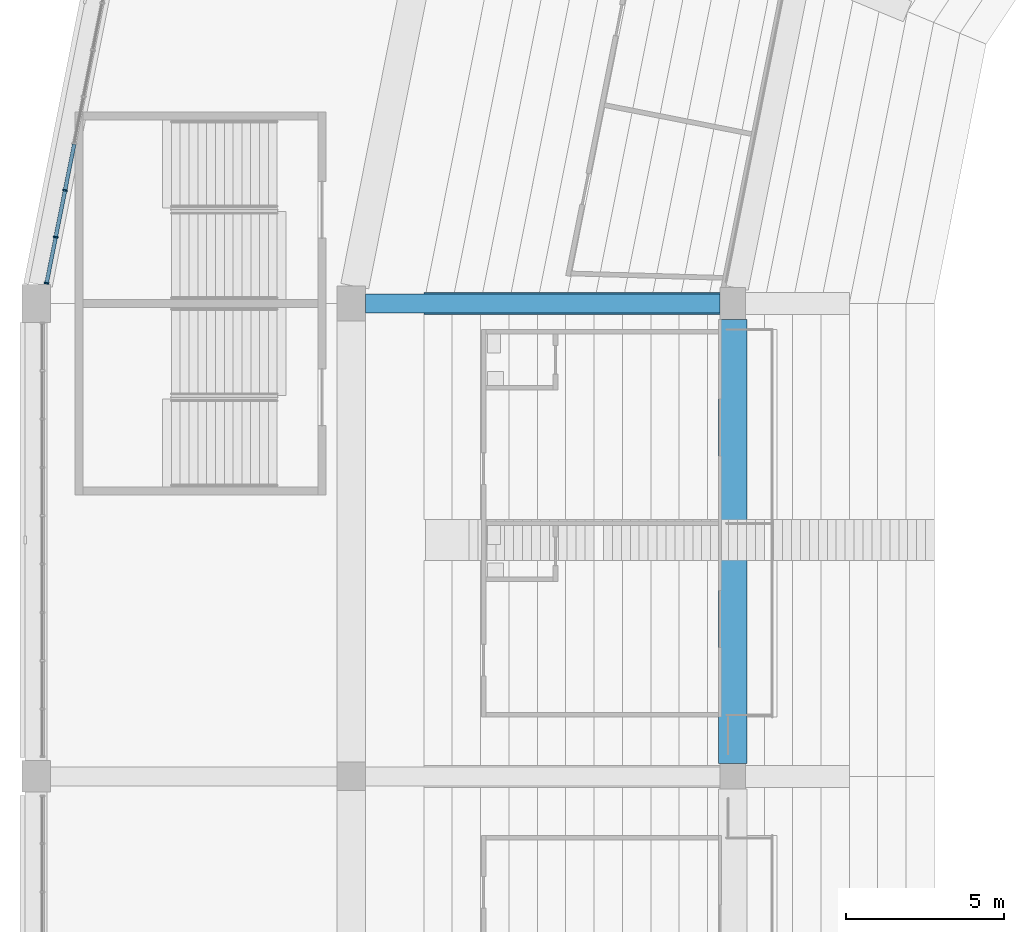
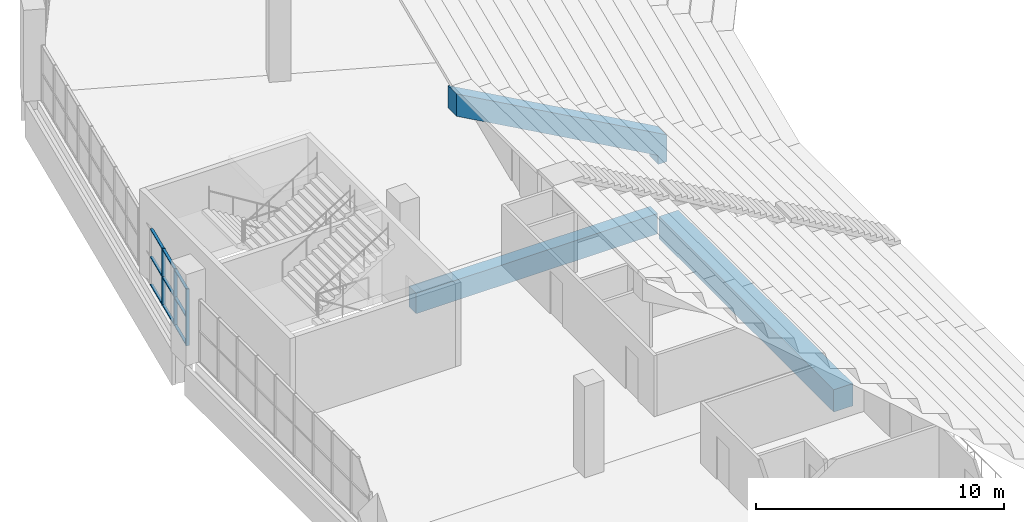
# One storey, part 41 of 249: 12 members, 3 beams, 1 element without a shape of its own.
"""IFC4 building model written with IfcOpenShell, lengths in metres."""

from ifc_helpers import new_model, si_unit, direction, frame, origin, origin_2d, place, context, subcontext, project, spatial, polyline, rectangle, outline, extrude, material, material_profile, profile_set, type_object, element, aggregate, save


model = new_model("IFC4")

# Units and contexts
model_context = context("Model", 3, precision=1e-05, world=origin(), true_north=direction((0.0, 1.0)))
body_context = subcontext(model_context, "Body", "Model", "MODEL_VIEW")
ifc_project = project(units=[si_unit("LENGTHUNIT", "METRE"), si_unit("AREAUNIT", "SQUARE_METRE"), si_unit("VOLUMEUNIT", "CUBIC_METRE"), si_unit("PLANEANGLEUNIT", "RADIAN"), si_unit("MASSUNIT", "GRAM", prefix="KILO")], contexts=[model_context])

# Site, building, storey
site_placement = place(None, origin())
site = spatial("IfcSite", under=ifc_project, at=site_placement, CompositionType="ELEMENT")
building_placement = place(site_placement, origin())
building = spatial("IfcBuilding", under=site, at=building_placement, Name="Ogive Plaza Stadium", CompositionType="ELEMENT")
storey_placement = place(building_placement, frame((0.0, 0.0, 13.5)))
storey = spatial("IfcBuildingStorey", under=building, at=storey_placement, Name="L03", CompositionType="ELEMENT", Elevation=13.5)

# Curtain wall, members
ifc_material_1 = material(Name="Bronze-anodised aluminium with laminated glass", Category="aluminium")
curtain_wall_type = type_object("IfcCurtainWallType", Name="Lancet curtain wall", PredefinedType="NOTDEFINED", material=ifc_material_1)
curtain_wall_placement = place(storey_placement, origin())
curtain_wall = element("IfcCurtainWall", 1, at=curtain_wall_placement, inside=storey, type_object=curtain_wall_type, Name="CURTAIN WALL B28 L03", PredefinedType="NOTDEFINED")
ifc_material_2 = material(Name="Bronze-anodised aluminium", Category="aluminium")
ifc_material_profile_1 = material_profile(ifc_material_2, rectangle(XDim=0.14990234375, YDim=0.050048828125, at=origin_2d()), Name="AL 150x50")
ifc_profile_set_1 = profile_set([ifc_material_profile_1], Name="Bronze-anodised aluminium")
member_type_1 = type_object("IfcMemberType", Name="Curtain wall mullion 50x150", PredefinedType="MULLION", material=ifc_profile_set_1)
member_1_placement = place(storey_placement, frame((-83.66796875, 53.14404296875, 0.0), z_axis=(0.0, 0.0, 1.0), x_axis=(-0.980785280403, 0.195090322016, 0.0)))
member_1 = element("IfcMember", 2, at=member_1_placement, type_object=member_type_1, Name="CW-B28-L03 mullion 1", PredefinedType="MULLION", context=body_context, shape_type="SweptSolid", body=[
    extrude(rectangle(XDim=0.14990234375, YDim=0.050048828125, at=origin_2d()), origin(), (0.0, 0.0, 1.0), 2.7900390625),
])
member_2_placement = place(storey_placement, frame((-83.37744140625, 54.604248046875, 0.0), z_axis=(0.0, 0.0, 1.0), x_axis=(-0.980785280403, 0.195090322016, 0.0)))
member_2 = element("IfcMember", 3, at=member_2_placement, type_object=member_type_1, Name="CW-B28-L03 mullion 2", PredefinedType="MULLION", context=body_context, shape_type="SweptSolid", body=[
    extrude(rectangle(XDim=0.14990234375, YDim=0.050048828125, at=origin_2d()), origin(), (0.0, 0.0, 1.0), 2.7900390625),
])
member_3_placement = place(storey_placement, frame((-83.082275390625, 56.089111328125, 0.0), z_axis=(0.0, 0.0, 1.0), x_axis=(-0.980785280403, 0.195090322016, 0.0)))
member_3 = element("IfcMember", 4, at=member_3_placement, type_object=member_type_1, Name="CW-B28-L03 mullion 3", PredefinedType="MULLION", context=body_context, shape_type="SweptSolid", body=[
    extrude(rectangle(XDim=0.14990234375, YDim=0.050048828125, at=origin_2d()), origin(), (0.0, 0.0, 1.0), 2.7900390625),
])
ifc_material_3 = material(Name="Bronze-anodised aluminium", Category="aluminium")
ifc_material_profile_2 = material_profile(ifc_material_3, rectangle(XDim=0.1201171875, YDim=0.050048828125, at=origin_2d()), Name="AL 120x50")
ifc_profile_set_2 = profile_set([ifc_material_profile_2], Name="Bronze-anodised aluminium")
member_type_2 = type_object("IfcMemberType", Name="Curtain wall transom 50x120", PredefinedType="USERDEFINED", material=ifc_profile_set_2)
member_4_placement = place(storey_placement, frame((-83.6630859375, 53.16845703125, 0.02490234375), z_axis=(0.195104618913, 0.980782436465, 0.0), x_axis=(-0.980782436465, 0.195104618913, 0.0)))
member_4 = element("IfcMember", 5, at=member_4_placement, type_object=member_type_2, Name="CW-B28-L03 transom 1.1", ObjectType="TRANSOM", PredefinedType="USERDEFINED", context=body_context, shape_type="SweptSolid", body=[
    extrude(rectangle(XDim=0.1201171875, YDim=0.050048828125, at=origin_2d()), origin(), (0.0, 0.0, 1.0), 1.43896484375),
])
member_5_placement = place(storey_placement, frame((-83.6630859375, 53.16845703125, 1.39501953125), z_axis=(0.195104618913, 0.980782436465, 0.0), x_axis=(-0.980782436465, 0.195104618913, 0.0)))
member_5 = element("IfcMember", 6, at=member_5_placement, type_object=member_type_2, Name="CW-B28-L03 transom 1.2", ObjectType="TRANSOM", PredefinedType="USERDEFINED", context=body_context, shape_type="SweptSolid", body=[
    extrude(rectangle(XDim=0.1201171875, YDim=0.050048828125, at=origin_2d()), origin(), (0.0, 0.0, 1.0), 1.43896484375),
])
member_6_placement = place(storey_placement, frame((-83.6630859375, 53.16845703125, 2.764892578125), z_axis=(0.195104618913, 0.980782436465, 0.0), x_axis=(-0.980782436465, 0.195104618913, 0.0)))
member_6 = element("IfcMember", 7, at=member_6_placement, type_object=member_type_2, Name="CW-B28-L03 transom 1.3", ObjectType="TRANSOM", PredefinedType="USERDEFINED", context=body_context, shape_type="SweptSolid", body=[
    extrude(rectangle(XDim=0.1201171875, YDim=0.050048828125, at=origin_2d()), origin(), (0.0, 0.0, 1.0), 1.43896484375),
])
member_7_placement = place(storey_placement, frame((-83.37255859375, 54.62890625, 0.02490234375), z_axis=(0.194993290732, 0.980804576136, 0.0), x_axis=(-0.980804576136, 0.194993290732, 0.0)))
member_7 = element("IfcMember", 8, at=member_7_placement, type_object=member_type_2, Name="CW-B28-L03 transom 2.1", ObjectType="TRANSOM", PredefinedType="USERDEFINED", context=body_context, shape_type="SweptSolid", body=[
    extrude(rectangle(XDim=0.1201171875, YDim=0.050048828125, at=origin_2d()), origin(), (0.0, 0.0, 1.0), 1.463623046875),
])
member_8_placement = place(storey_placement, frame((-83.37255859375, 54.62890625, 1.39501953125), z_axis=(0.194993290732, 0.980804576136, 0.0), x_axis=(-0.980804576136, 0.194993290732, 0.0)))
member_8 = element("IfcMember", 9, at=member_8_placement, type_object=member_type_2, Name="CW-B28-L03 transom 2.2", ObjectType="TRANSOM", PredefinedType="USERDEFINED", context=body_context, shape_type="SweptSolid", body=[
    extrude(rectangle(XDim=0.1201171875, YDim=0.050048828125, at=origin_2d()), origin(), (0.0, 0.0, 1.0), 1.463623046875),
])
member_9_placement = place(storey_placement, frame((-83.37255859375, 54.62890625, 2.764892578125), z_axis=(0.194993290732, 0.980804576136, 0.0), x_axis=(-0.980804576136, 0.194993290732, 0.0)))
member_9 = element("IfcMember", 10, at=member_9_placement, type_object=member_type_2, Name="CW-B28-L03 transom 2.3", ObjectType="TRANSOM", PredefinedType="USERDEFINED", context=body_context, shape_type="SweptSolid", body=[
    extrude(rectangle(XDim=0.1201171875, YDim=0.050048828125, at=origin_2d()), origin(), (0.0, 0.0, 1.0), 1.463623046875),
])
member_10_placement = place(storey_placement, frame((-83.077392578125, 56.113525390625, 0.02490234375), z_axis=(0.195121823859, 0.980779013771, 0.0), x_axis=(-0.980779013771, 0.195121823859, 0.0)))
member_10 = element("IfcMember", 11, at=member_10_placement, type_object=member_type_2, Name="CW-B28-L03 transom 3.1", ObjectType="TRANSOM", PredefinedType="USERDEFINED", context=body_context, shape_type="SweptSolid", body=[
    extrude(rectangle(XDim=0.1201171875, YDim=0.050048828125, at=origin_2d()), origin(), (0.0, 0.0, 1.0), 1.4638671875),
])
member_11_placement = place(storey_placement, frame((-83.077392578125, 56.113525390625, 1.39501953125), z_axis=(0.195121823859, 0.980779013771, 0.0), x_axis=(-0.980779013771, 0.195121823859, 0.0)))
member_11 = element("IfcMember", 12, at=member_11_placement, type_object=member_type_2, Name="CW-B28-L03 transom 3.2", ObjectType="TRANSOM", PredefinedType="USERDEFINED", context=body_context, shape_type="SweptSolid", body=[
    extrude(rectangle(XDim=0.1201171875, YDim=0.050048828125, at=origin_2d()), origin(), (0.0, 0.0, 1.0), 1.4638671875),
])
member_12_placement = place(storey_placement, frame((-83.077392578125, 56.113525390625, 2.764892578125), z_axis=(0.195121823859, 0.980779013771, 0.0), x_axis=(-0.980779013771, 0.195121823859, 0.0)))
member_12 = element("IfcMember", 13, at=member_12_placement, type_object=member_type_2, Name="CW-B28-L03 transom 3.3", ObjectType="TRANSOM", PredefinedType="USERDEFINED", context=body_context, shape_type="SweptSolid", body=[
    extrude(rectangle(XDim=0.1201171875, YDim=0.050048828125, at=origin_2d()), origin(), (0.0, 0.0, 1.0), 1.4638671875),
])
aggregate(curtain_wall, [member_1, member_2, member_3, member_4, member_5, member_6, member_7, member_8, member_9, member_10, member_11, member_12])

# Beams
ifc_material_4 = material(Name="Concrete C45/55 precast", Category="concrete")
ifc_material_profile_3 = material_profile(ifc_material_4, rectangle(XDim=0.699951171875, YDim=1.10009765625, at=origin_2d()), Name="RC 700x1100")
ifc_profile_set_3 = profile_set([ifc_material_profile_3], Name="Concrete C45/55 precast")
beam_type_1 = type_object("IfcBeamType", Name="Precast raker UT back-span 700x1100", PredefinedType="USERDEFINED", material=ifc_profile_set_3)
beam_1_placement = place(storey_placement, frame((-34.0, 52.5, -13.5), z_axis=(0.0, 0.0, 1.0), x_axis=(-1.0, 0.0, 0.0)))
element("IfcBeam", 14, at=beam_1_placement, inside=storey, type_object=beam_type_1, Name="RAKER UT BACK-SPAN R28", ObjectType="RAKER", PredefinedType="USERDEFINED", context=body_context, shape_type="SweptSolid", body=[
    extrude(outline(polyline([(27.89990234375, 15.533203125), (28.300048828125, 15.533203125), (28.300048828125, 15.977783203125), (37.699951171875, 21.199951171875), (37.699951171875, 22.300048828125), (27.89990234375, 16.855712890625), (27.89990234375, 15.533203125)])), frame((0.0, 0.35009765625, 0.0), z_axis=(0.0, -1.0, 0.0), x_axis=(1.0, 0.0, 0.0)), (0.0, 0.0, 1.0), 0.699951171875),
])
ifc_material_5 = material(Name="Concrete C40/50", Category="concrete")
ifc_material_profile_4 = material_profile(ifc_material_5, rectangle(XDim=0.60009765625, YDim=1.0, at=origin_2d()), Name="RC 600x1000")
ifc_profile_set_4 = profile_set([ifc_material_profile_4], Name="Concrete C40/50")
beam_type_2 = type_object("IfcBeamType", Name="RC radial beam 600x1000", PredefinedType="BEAM", material=ifc_profile_set_4)
beam_2_placement = place(storey_placement, frame((-62.300048828125, 52.5, -0.909912109375), z_axis=(-1.0, 0.0, 0.0), x_axis=(0.0, -1.0, 0.0)))
element("IfcBeam", 15, at=beam_2_placement, inside=storey, type_object=beam_type_2, Name="Radial beam L03 R28 F3F4", PredefinedType="BEAM", context=body_context, shape_type="SweptSolid", body=[
    extrude(rectangle(XDim=0.60009765625, YDim=1.0, at=origin_2d()), origin(), (0.0, 0.0, 1.0), 11.25),
])
ifc_material_6 = material(Name="Concrete C40/50", Category="concrete")
ifc_material_profile_5 = material_profile(ifc_material_6, rectangle(XDim=0.89990234375, YDim=1.10009765625, at=origin_2d()), Name="RC 900x1100")
ifc_profile_set_5 = profile_set([ifc_material_profile_5], Name="Concrete C40/50")
beam_type_3 = type_object("IfcBeamType", Name="RC ring beam 900x1100", PredefinedType="BEAM", material=ifc_profile_set_5)
beam_3_placement = place(storey_placement, frame((-61.89990234375, 37.89990234375, -0.9599609375), z_axis=(0.0, 1.0, 0.0), x_axis=(-1.0, 0.0, 0.0)))
element("IfcBeam", 16, at=beam_3_placement, inside=storey, type_object=beam_type_3, Name="Ring beam F3 L03 B27", PredefinedType="BEAM", context=body_context, shape_type="SweptSolid", body=[
    extrude(rectangle(XDim=0.89990234375, YDim=1.10009765625, at=origin_2d()), origin(), (0.0, 0.0, 1.0), 14.10009765625),
])

save(model, "model.ifc")
